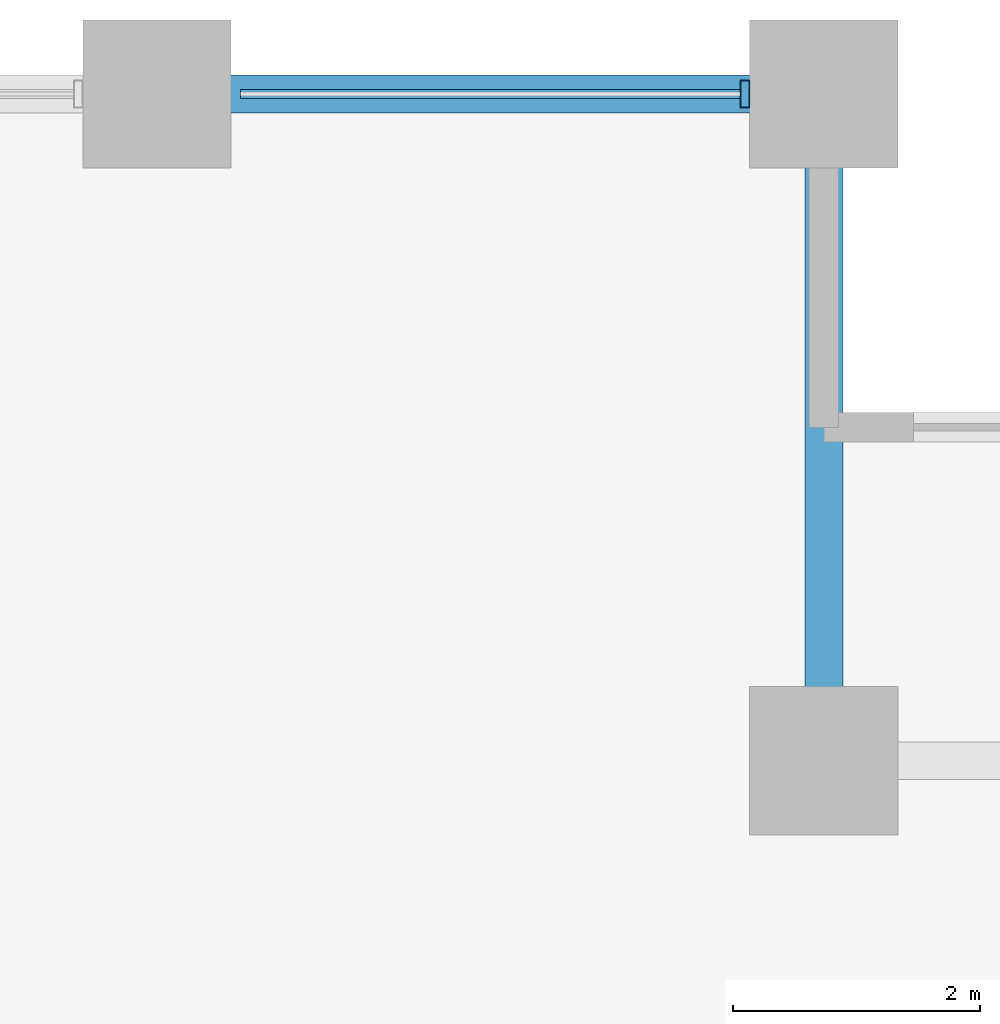
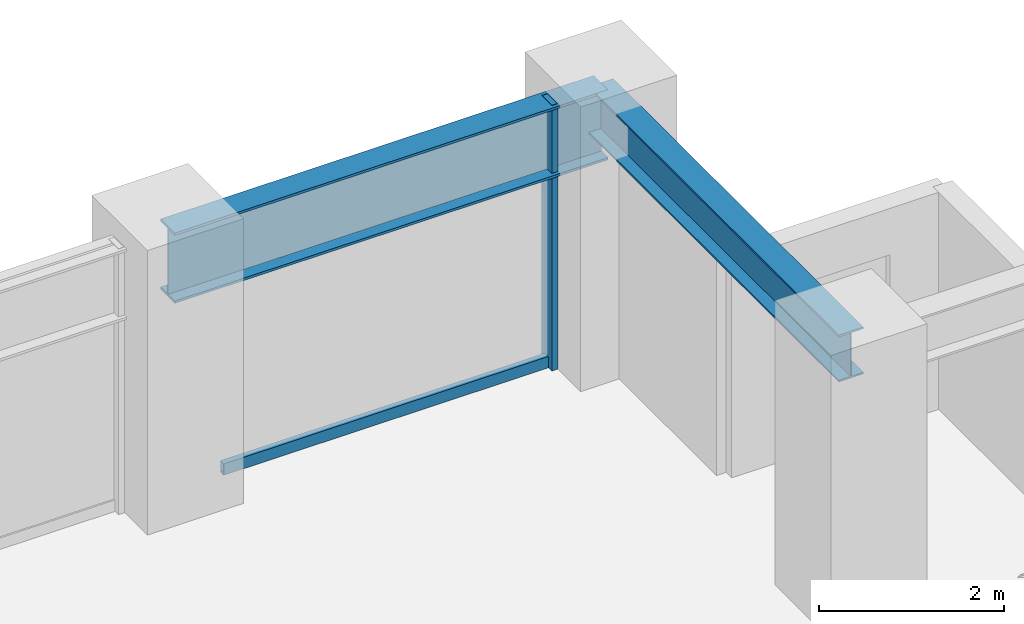
# One storey, part 16 of 26: 2 beams, 2 members, 1 element without a shape of its own.
"""IFC4 building model written with IfcOpenShell, lengths in metres."""

from ifc_helpers import new_model, si_unit, direction, frame, origin, origin_2d, place, context, subcontext, project, spatial, hollow_rectangle, i_section, extrude, material, layer, layer_set, material_profile, profile_set, type_object, element, aggregate, save


model = new_model("IFC4")

# Units and contexts
model_context = context("Model", 3, precision=1e-05, world=origin(), true_north=direction((0.0, 1.0)))
body_context = subcontext(model_context, "Body", "Model", "MODEL_VIEW")
ifc_project = project(units=[si_unit("LENGTHUNIT", "METRE"), si_unit("AREAUNIT", "SQUARE_METRE"), si_unit("VOLUMEUNIT", "CUBIC_METRE"), si_unit("PLANEANGLEUNIT", "RADIAN"), si_unit("MASSUNIT", "GRAM", prefix="KILO")], contexts=[model_context])

# Site, building, storey
site_placement = place(None, origin())
site = spatial("IfcSite", under=ifc_project, at=site_placement, CompositionType="ELEMENT")
building_placement = place(site_placement, origin())
building = spatial("IfcBuilding", under=site, at=building_placement, Name="Surkhivell Harbour Commons", CompositionType="ELEMENT")
storey_placement = place(building_placement, frame((0.0, 0.0, 75.0)))
storey = spatial("IfcBuildingStorey", under=building, at=storey_placement, Name="L19", CompositionType="ELEMENT", Elevation=75.0)

# Beams
ifc_material_1 = material(Name="Steel S355", Category="steel")
ifc_material_profile_1 = material_profile(ifc_material_1, i_section(OverallWidth=0.306884765625, OverallDepth=0.6201171875, WebThickness=0.01416015625, FlangeThickness=0.023681640625, at=origin_2d()), Name="UB610x305x179")
ifc_profile_set_1 = profile_set([ifc_material_profile_1], Name="Steel S355")
beam_type_1 = type_object("IfcBeamType", Name="BM-GRD-610A", PredefinedType="BEAM", material=ifc_profile_set_1)
beam_1_placement = place(storey_placement, frame((27.0, 20.5, 3.18994140625), z_axis=(0.0, 1.0, 0.0), x_axis=(-1.0, 0.0, 0.0)))
element("IfcBeam", 1, at=beam_1_placement, inside=storey, type_object=beam_type_1, Name="L19 Floor Girder (27.0,20.5)", PredefinedType="BEAM", context=body_context, shape_type="SweptSolid", body=[
    extrude(i_section(OverallWidth=0.306884765625, OverallDepth=0.6201171875, WebThickness=0.01416015625, FlangeThickness=0.023681640625, at=origin_2d()), origin(), (0.0, 0.0, 1.0), 5.39990234375),
])
ifc_material_2 = material(Name="Steel S460", Category="steel")
ifc_material_profile_2 = material_profile(ifc_material_2, i_section(OverallWidth=0.30810546875, OverallDepth=0.927001953125, WebThickness=0.01953125, FlangeThickness=0.031982421875, at=origin_2d()), Name="UB914x305x289")
ifc_profile_set_2 = profile_set([ifc_material_profile_2], Name="Steel S460")
beam_type_2 = type_object("IfcBeamType", Name="BM-SPN-914B", PredefinedType="SPANDREL", material=ifc_profile_set_2)
beam_2_placement = place(storey_placement, frame((21.60009765625, 25.89990234375, 3.03662109375), z_axis=(1.0, 0.0, 0.0), x_axis=(0.0, 1.0, 0.0)))
element("IfcBeam", 2, at=beam_2_placement, inside=storey, type_object=beam_type_2, Name="L19 Tube Spandrel (21.6,25.9)", PredefinedType="SPANDREL", context=body_context, shape_type="SweptSolid", body=[
    extrude(i_section(OverallWidth=0.30810546875, OverallDepth=0.927001953125, WebThickness=0.01953125, FlangeThickness=0.031982421875, at=origin_2d()), origin(), (0.0, 0.0, 1.0), 5.39990234375),
])

# Curtain wall, members
ifc_material_3 = material(Name="Anodised pale-metal aluminium and insulated glazing", Category="aluminium")
ifc_layer = layer(ifc_material_3, 0.219970703125)
ifc_layer_set = layer_set([ifc_layer], Name="Anodised pale-metal aluminium and insulated glazing")
curtain_wall_type = type_object("IfcCurtainWallType", Name="CW-SYS-Z1", PredefinedType="NOTDEFINED", material=ifc_layer_set)
curtain_wall_placement = place(storey_placement, origin())
curtain_wall = element("IfcCurtainWall", 3, at=curtain_wall_placement, inside=storey, type_object=curtain_wall_type, Name="L19 Curtain Wall CW-L19-E07S1", PredefinedType="NOTDEFINED")
ifc_material_4 = material(Name="Anodised pale-metal aluminium alloy 6063-T6", Category="aluminium")
ifc_material_profile_3 = material_profile(ifc_material_4, hollow_rectangle(XDim=0.074951171875, YDim=0.219970703125, WallThickness=0.00390625, at=origin_2d()), Name="ALU-MULL-75x220")
ifc_profile_set_3 = profile_set([ifc_material_profile_3], Name="Anodised pale-metal aluminium alloy 6063-T6")
member_type_1 = type_object("IfcMemberType", Name="CWM-220", PredefinedType="MULLION", material=ifc_profile_set_3)
member_1_placement = place(storey_placement, frame((26.360595703125, 25.89990234375, 0.0), z_axis=(0.0, 0.0, 1.0), x_axis=(-1.0, 0.0, 0.0)))
member_1 = element("IfcMember", 4, at=member_1_placement, type_object=member_type_1, Name="CW-Z1 mullion 1", PredefinedType="MULLION", context=body_context, shape_type="SweptSolid", body=[
    extrude(hollow_rectangle(XDim=0.074951171875, YDim=0.219970703125, WallThickness=0.00390625, at=origin_2d()), origin(), (0.0, 0.0, 1.0), 3.5),
])
ifc_material_profile_4 = material_profile(ifc_material_4, hollow_rectangle(XDim=0.074951171875, YDim=0.14990234375, WallThickness=0.00341796875, at=origin_2d()), Name="ALU-TRAN-75x150")
ifc_profile_set_4 = profile_set([ifc_material_profile_4], Name="Anodised pale-metal aluminium alloy 6063-T6")
member_type_2 = type_object("IfcMemberType", Name="CWT-150", PredefinedType="USERDEFINED", material=ifc_profile_set_4)
member_2_placement = place(storey_placement, frame((26.322998046875, 25.89990234375, 0.074951171875), z_axis=(-1.0, 0.0, 0.0), x_axis=(0.0, -1.0, 0.0)))
member_2 = element("IfcMember", 5, at=member_2_placement, type_object=member_type_2, Name="CW-Z1 transom 1.1", ObjectType="TRANSOM", PredefinedType="USERDEFINED", context=body_context, shape_type="SweptSolid", body=[
    extrude(hollow_rectangle(XDim=0.074951171875, YDim=0.14990234375, WallThickness=0.00341796875, at=origin_2d()), origin(), (0.0, 0.0, 1.0), 4.0458984375),
])
aggregate(curtain_wall, [member_1, member_2])

save(model, "model.ifc")
